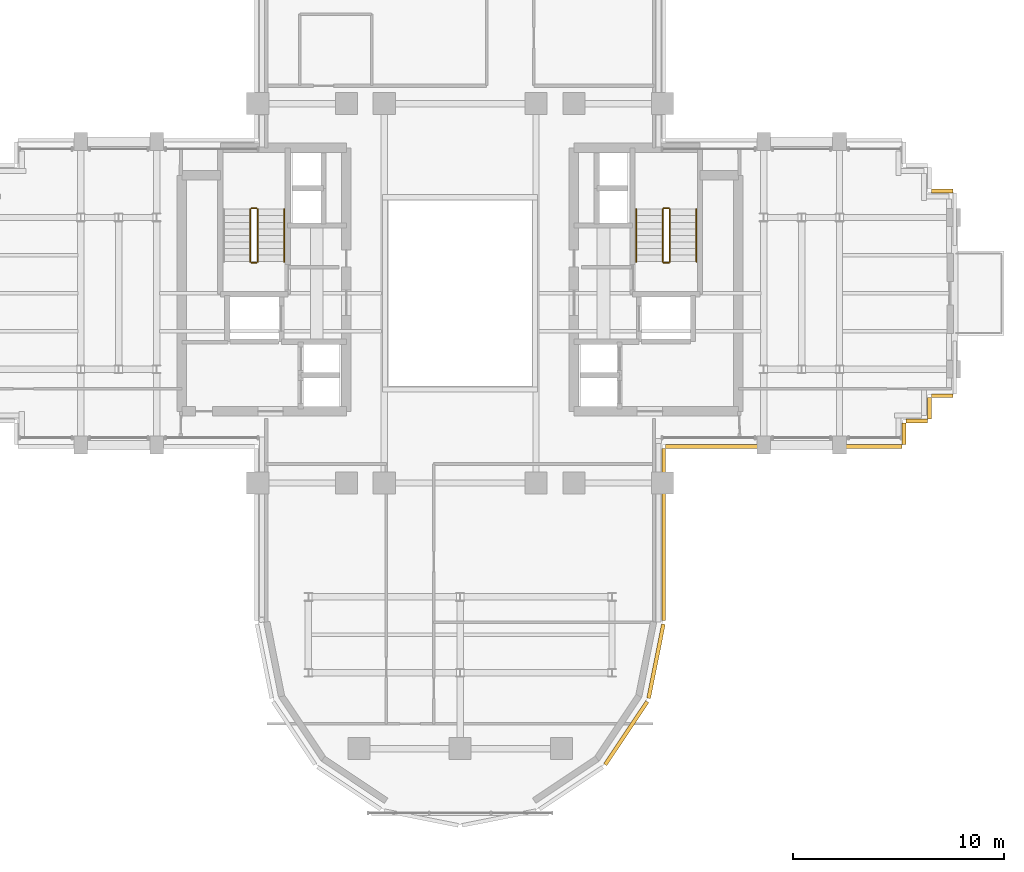
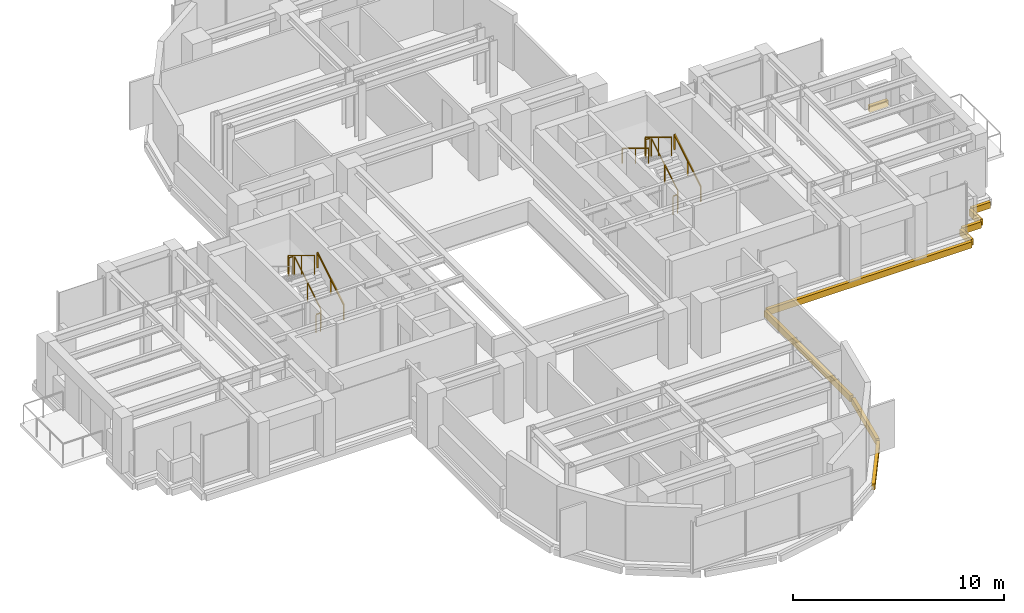
# One storey, part 12 of 13: 11 railings, 9 coverings.
"""IFC4 building model written with IfcOpenShell, lengths in metres."""

from ifc_helpers import new_model, si_unit, direction, frame, origin, origin_2d, place, context, subcontext, project, spatial, rectangle, extrude, source, transform, mapped, material, layer, layer_set, type_object, element, save


model = new_model("IFC4")

# Units and contexts
model_context = context("Model", 3, precision=1e-05, world=origin(), true_north=direction((0.0, 1.0)))
body_context = subcontext(model_context, "Body", "Model", "MODEL_VIEW")
ifc_project = project(units=[si_unit("LENGTHUNIT", "METRE"), si_unit("AREAUNIT", "SQUARE_METRE"), si_unit("VOLUMEUNIT", "CUBIC_METRE"), si_unit("PLANEANGLEUNIT", "RADIAN"), si_unit("MASSUNIT", "GRAM", prefix="KILO")], contexts=[model_context])

# Site, building, storey
site_placement = place(None, origin())
site = spatial("IfcSite", under=ifc_project, at=site_placement, CompositionType="ELEMENT")
building_placement = place(site_placement, origin())
building = spatial("IfcBuilding", under=site, at=building_placement, Name="Keilestroom Media Tower", CompositionType="ELEMENT")
storey_placement = place(building_placement, frame((0.0, 0.0, 104.0)))
storey = spatial("IfcBuildingStorey", under=building, at=storey_placement, Name="L27", CompositionType="ELEMENT", Elevation=104.0)

# Railings
ifc_material_1 = material(Name="Brushed Stainless Steel 1.4301", Category="steel")
railing_type_1 = type_object("IfcRailingType", Name="Stair-Pitch-Handrail-920", PredefinedType="HANDRAIL", material=ifc_material_1)
for number, where, name in (
    (1, (-8.35009765625, 1.5, 0.18896484375), "L27 ST-1 stair handrail 1"),
    (2, (11.2099609375, 1.5, 0.18896484375), "L27 ST-2 stair handrail 1"),
):
    element("IfcRailing", number, at=place(storey_placement, frame(where)), inside=storey, type_object=railing_type_1, Name=name, PredefinedType="HANDRAIL", context=body_context, shape_type="SweptSolid", body=[
        extrude(rectangle(XDim=0.048095703125, YDim=0.048095703125, at=origin_2d()), frame((0.0, 0.0, 0.8759765625), z_axis=(0.0, 0.855470815493, 0.517851024754), x_axis=(-1.0, 0.0, 0.0)), (0.0, 0.0, 1.0), 2.917724609375),
        extrude(rectangle(XDim=0.0419921875, YDim=0.0419921875, at=origin_2d()), origin(), (0.0, 0.0, 1.0), 0.84375),
        extrude(rectangle(XDim=0.0419921875, YDim=0.0419921875, at=origin_2d()), frame((0.0, 1.248046875, 0.75537109375)), (0.0, 0.0, 1.0), 0.84375),
        extrude(rectangle(XDim=0.0419921875, YDim=0.0419921875, at=origin_2d()), frame((0.0, 2.49609375, 1.510986328125)), (0.0, 0.0, 1.0), 0.84375),
    ])
railing_1_placement = place(storey_placement, frame((8.35009765625, 3.99609375, 1.888916015625)))
element("IfcRailing", 3, at=railing_1_placement, inside=storey, type_object=railing_type_1, Name="L27 ST-2 stair handrail 2", PredefinedType="HANDRAIL", context=body_context, shape_type="SweptSolid", body=[
    extrude(rectangle(XDim=0.048095703125, YDim=0.048095703125, at=origin_2d()), frame((0.0, 0.0, 0.8759765625), z_axis=(0.0, -0.855470815493, 0.517851024754), x_axis=(1.0, 0.0, 0.0)), (0.0, 0.0, 1.0), 2.917724609375),
    extrude(rectangle(XDim=0.0419921875, YDim=0.0419921875, at=origin_2d()), origin(), (0.0, 0.0, 1.0), 0.84375),
    extrude(rectangle(XDim=0.0419921875, YDim=0.0419921875, at=origin_2d()), frame((0.0, -1.248046875, 0.75537109375)), (0.0, 0.0, 1.0), 0.84375),
    extrude(rectangle(XDim=0.0419921875, YDim=0.0419921875, at=origin_2d()), frame((0.0, -2.49609375, 1.510986328125)), (0.0, 0.0, 1.0), 0.84375),
])
ifc_material_2 = material(Name="Painted Steel Balustrade", Category="steel")
railing_type_2 = type_object("IfcRailingType", Name="Stair-Well-And-Landing-Guard-1100", PredefinedType="GUARDRAIL", material=ifc_material_2)
railing_2_placement = place(storey_placement, frame((-9.610107421875, 1.5, 0.18896484375)))
element("IfcRailing", 4, at=railing_2_placement, inside=storey, type_object=railing_type_2, Name="L27 ST-1 stair guard 1", PredefinedType="GUARDRAIL", context=body_context, shape_type="SweptSolid", body=[
    extrude(rectangle(XDim=0.048095703125, YDim=0.048095703125, at=origin_2d()), frame((0.0, 0.0, 1.076171875), z_axis=(0.0, 0.855470815493, 0.517851024754), x_axis=(-1.0, 0.0, 0.0)), (0.0, 0.0, 1.0), 2.917724609375),
    extrude(rectangle(XDim=0.0419921875, YDim=0.0419921875, at=origin_2d()), origin(), (0.0, 0.0, 1.0), 1.0439453125),
    extrude(rectangle(XDim=0.0419921875, YDim=0.0419921875, at=origin_2d()), frame((0.0, 1.248046875, 0.75537109375)), (0.0, 0.0, 1.0), 1.0439453125),
    extrude(rectangle(XDim=0.0419921875, YDim=0.0419921875, at=origin_2d()), frame((0.0, 2.49609375, 1.510986328125)), (0.0, 0.0, 1.0), 1.0439453125),
])
railing_3_placement = place(storey_placement, frame((-9.659912109375, 4.0458984375, 1.699951171875)))
element("IfcRailing", 5, at=railing_3_placement, inside=storey, type_object=railing_type_2, Name="L27 ST-1 stair guard 2", PredefinedType="GUARDRAIL", context=body_context, shape_type="SweptSolid", body=[
    extrude(rectangle(XDim=0.048095703125, YDim=0.048095703125, at=origin_2d()), frame((0.0, 0.0, 1.076171875), z_axis=(-1.0, 0.0, 0.0), x_axis=(0.0, -1.0, 0.0)), (0.0, 0.0, 1.0), 0.239990234375),
    extrude(rectangle(XDim=0.0419921875, YDim=0.0419921875, at=origin_2d()), origin(), (0.0, 0.0, 1.0), 1.0439453125),
    extrude(rectangle(XDim=0.0419921875, YDim=0.0419921875, at=origin_2d()), frame((-0.239990234375, 0.0, 0.0)), (0.0, 0.0, 1.0), 1.0439453125),
])
railing_4_placement = place(storey_placement, frame((-9.949951171875, 3.99609375, 1.888916015625)))
element("IfcRailing", 6, at=railing_4_placement, inside=storey, type_object=railing_type_2, Name="L27 ST-1 stair guard 3", PredefinedType="GUARDRAIL", context=body_context, shape_type="SweptSolid", body=[
    extrude(rectangle(XDim=0.048095703125, YDim=0.048095703125, at=origin_2d()), frame((0.0, 0.0, 1.076171875), z_axis=(0.0, -0.855470815493, 0.517851024754), x_axis=(1.0, 0.0, 0.0)), (0.0, 0.0, 1.0), 2.917724609375),
    extrude(rectangle(XDim=0.0419921875, YDim=0.0419921875, at=origin_2d()), origin(), (0.0, 0.0, 1.0), 1.0439453125),
    extrude(rectangle(XDim=0.0419921875, YDim=0.0419921875, at=origin_2d()), frame((0.0, -1.248046875, 0.75537109375)), (0.0, 0.0, 1.0), 1.0439453125),
    extrude(rectangle(XDim=0.0419921875, YDim=0.0419921875, at=origin_2d()), frame((0.0, -2.49609375, 1.510986328125)), (0.0, 0.0, 1.0), 1.0439453125),
])
railing_5_placement = place(storey_placement, frame((-9.659912109375, 1.449951171875, 0.0)))
element("IfcRailing", 7, at=railing_5_placement, inside=storey, type_object=railing_type_2, Name="L27 ST-1 stair guard 4", PredefinedType="GUARDRAIL", context=body_context, shape_type="SweptSolid", body=[
    extrude(rectangle(XDim=0.048095703125, YDim=0.048095703125, at=origin_2d()), frame((0.0, 0.0, 1.076171875), z_axis=(-1.0, 0.0, 0.0), x_axis=(0.0, -1.0, 0.0)), (0.0, 0.0, 1.0), 0.239990234375),
    extrude(rectangle(XDim=0.0419921875, YDim=0.0419921875, at=origin_2d()), origin(), (0.0, 0.0, 1.0), 1.0439453125),
    extrude(rectangle(XDim=0.0419921875, YDim=0.0419921875, at=origin_2d()), frame((-0.239990234375, 0.0, 0.0)), (0.0, 0.0, 1.0), 1.0439453125),
])
railing_6_placement = place(storey_placement, frame((9.949951171875, 1.5, 0.18896484375)))
element("IfcRailing", 8, at=railing_6_placement, inside=storey, type_object=railing_type_2, Name="L27 ST-2 stair guard 1", PredefinedType="GUARDRAIL", context=body_context, shape_type="SweptSolid", body=[
    extrude(rectangle(XDim=0.048095703125, YDim=0.048095703125, at=origin_2d()), frame((0.0, 0.0, 1.076171875), z_axis=(0.0, 0.855470815493, 0.517851024754), x_axis=(-1.0, 0.0, 0.0)), (0.0, 0.0, 1.0), 2.917724609375),
    extrude(rectangle(XDim=0.0419921875, YDim=0.0419921875, at=origin_2d()), origin(), (0.0, 0.0, 1.0), 1.0439453125),
    extrude(rectangle(XDim=0.0419921875, YDim=0.0419921875, at=origin_2d()), frame((0.0, 1.248046875, 0.75537109375)), (0.0, 0.0, 1.0), 1.0439453125),
    extrude(rectangle(XDim=0.0419921875, YDim=0.0419921875, at=origin_2d()), frame((0.0, 2.49609375, 1.510986328125)), (0.0, 0.0, 1.0), 1.0439453125),
])
railing_7_placement = place(storey_placement, frame((9.89990234375, 4.0458984375, 1.699951171875)))
element("IfcRailing", 9, at=railing_7_placement, inside=storey, type_object=railing_type_2, Name="L27 ST-2 stair guard 2", PredefinedType="GUARDRAIL", context=body_context, shape_type="SweptSolid", body=[
    extrude(rectangle(XDim=0.048095703125, YDim=0.048095703125, at=origin_2d()), frame((0.0, 0.0, 1.076171875), z_axis=(-1.0, 0.0, 0.0), x_axis=(0.0, -1.0, 0.0)), (0.0, 0.0, 1.0), 0.239990234375),
    extrude(rectangle(XDim=0.0419921875, YDim=0.0419921875, at=origin_2d()), origin(), (0.0, 0.0, 1.0), 1.0439453125),
    extrude(rectangle(XDim=0.0419921875, YDim=0.0419921875, at=origin_2d()), frame((-0.239990234375, 0.0, 0.0)), (0.0, 0.0, 1.0), 1.0439453125),
])
railing_8_placement = place(storey_placement, frame((9.610107421875, 3.99609375, 1.888916015625)))
element("IfcRailing", 10, at=railing_8_placement, inside=storey, type_object=railing_type_2, Name="L27 ST-2 stair guard 3", PredefinedType="GUARDRAIL", context=body_context, shape_type="SweptSolid", body=[
    extrude(rectangle(XDim=0.048095703125, YDim=0.048095703125, at=origin_2d()), frame((0.0, 0.0, 1.076171875), z_axis=(0.0, -0.855470815493, 0.517851024754), x_axis=(1.0, 0.0, 0.0)), (0.0, 0.0, 1.0), 2.917724609375),
    extrude(rectangle(XDim=0.0419921875, YDim=0.0419921875, at=origin_2d()), origin(), (0.0, 0.0, 1.0), 1.0439453125),
    extrude(rectangle(XDim=0.0419921875, YDim=0.0419921875, at=origin_2d()), frame((0.0, -1.248046875, 0.75537109375)), (0.0, 0.0, 1.0), 1.0439453125),
    extrude(rectangle(XDim=0.0419921875, YDim=0.0419921875, at=origin_2d()), frame((0.0, -2.49609375, 1.510986328125)), (0.0, 0.0, 1.0), 1.0439453125),
])
railing_9_placement = place(storey_placement, frame((9.89990234375, 1.449951171875, 0.0)))
element("IfcRailing", 11, at=railing_9_placement, inside=storey, type_object=railing_type_2, Name="L27 ST-2 stair guard 4", PredefinedType="GUARDRAIL", context=body_context, shape_type="SweptSolid", body=[
    extrude(rectangle(XDim=0.048095703125, YDim=0.048095703125, at=origin_2d()), frame((0.0, 0.0, 1.076171875), z_axis=(-1.0, 0.0, 0.0), x_axis=(0.0, -1.0, 0.0)), (0.0, 0.0, 1.0), 0.239990234375),
    extrude(rectangle(XDim=0.0419921875, YDim=0.0419921875, at=origin_2d()), origin(), (0.0, 0.0, 1.0), 1.0439453125),
    extrude(rectangle(XDim=0.0419921875, YDim=0.0419921875, at=origin_2d()), frame((-0.239990234375, 0.0, 0.0)), (0.0, 0.0, 1.0), 1.0439453125),
])

# Coverings
ifc_material_3 = material(Name="Precast concrete C40/50", Category="concrete")
ifc_layer = layer(ifc_material_3, 0.1201171875)
ifc_layer_set = layer_set([ifc_layer], Name="Precast concrete C40/50")
covering_type = type_object("IfcCoveringType", Name="Exterior-Precast-Spandrel-Cladding-Panel-120", PredefinedType="CLADDING", material=ifc_layer_set)
shared_shape_1 = source(origin(), body_context, "Body", "SweptSolid", [
    extrude(rectangle(XDim=1.02001953125, YDim=0.179931640625, at=origin_2d()), origin(), (0.0, 0.0, 1.0), 0.360107421875),
])
for number, where, z_axis, x_axis, name in (
    (12, (22.860107421875, -4.860107421875, -0.5400390625), (0.0, 0.0, 1.0), (-1.0, 0.0, 0.0), "L27 Precast Slab-Edge Fascia Cornice 01"),
    (13, (22.260009765625, -5.4599609375, -0.5400390625), (0.0, 0.0, 1.0), (0.0, -1.0, 0.0), "L27 Precast Slab-Edge Fascia Cornice 02"),
    (14, (21.659912109375, -6.06005859375, -0.5400390625), (0.0, 0.0, 1.0), (-1.0, 0.0, 0.0), "L27 Precast Slab-Edge Fascia Cornice 03"),
    (15, (21.06005859375, -6.659912109375, -0.5400390625), (0.0, 0.0, 1.0), (0.0, -1.0, 0.0), "L27 Precast Slab-Edge Fascia Cornice 04"),
    (16, (22.860107421875, 4.860107421875, -0.5400390625), (0.0, 0.0, 1.0), (1.0, 0.0, 0.0), "L27 Precast Slab-Edge Fascia Cornice 42"),
):
    element("IfcCovering", number, at=place(storey_placement, frame(where, z_axis=z_axis, x_axis=x_axis)), inside=storey, type_object=covering_type, Name=name, PredefinedType="CLADDING", context=body_context, shape_type="MappedRepresentation", body=[
        mapped(shared_shape_1, transform((0.0, 0.0, 0.0), x_axis=(1.0, 0.0, 0.0), y_axis=(0.0, 1.0, 0.0), z_axis=(0.0, 0.0, 1.0), scale=1.0)),
    ])
shared_shape_2 = source(origin(), body_context, "Body", "SweptSolid", [
    extrude(rectangle(XDim=8.166015625, YDim=0.179931640625, at=origin_2d()), origin(), (0.0, 0.0, 1.0), 0.360107421875),
])
covering_1_placement = place(storey_placement, frame((9.659912109375, -11.43310546875, -0.5400390625), z_axis=(0.0, 0.0, 1.0), x_axis=(0.0, -1.0, 0.0)))
element("IfcCovering", 17, at=covering_1_placement, inside=storey, type_object=covering_type, Name="L27 Precast Slab-Edge Fascia Cornice 06", PredefinedType="CLADDING", context=body_context, shape_type="MappedRepresentation", body=[
    mapped(shared_shape_2, transform((0.0, 0.0, 0.0), x_axis=(1.0, 0.0, 0.0), y_axis=(0.0, 1.0, 0.0), z_axis=(0.0, 0.0, 1.0), scale=1.0)),
])
shared_shape_3 = source(origin(), body_context, "Body", "SweptSolid", [
    extrude(rectangle(XDim=3.58349609375, YDim=0.179931640625, at=origin_2d()), origin(), (0.0, 0.0, 1.0), 0.360107421875),
])
covering_2_placement = place(storey_placement, frame((9.29296875, -17.45166015625, -0.5400390625), z_axis=(0.0, 0.0, 1.0), x_axis=(-0.195098880975, -0.980783577882, 0.0)))
element("IfcCovering", 18, at=covering_2_placement, inside=storey, type_object=covering_type, Name="L27 Precast Slab-Edge Fascia Cornice 07", PredefinedType="CLADDING", context=body_context, shape_type="MappedRepresentation", body=[
    mapped(shared_shape_3, transform((0.0, 0.0, 0.0), x_axis=(1.0, 0.0, 0.0), y_axis=(0.0, 1.0, 0.0), z_axis=(0.0, 0.0, 1.0), scale=1.0)),
])
shared_shape_4 = source(origin(), body_context, "Body", "SweptSolid", [
    extrude(rectangle(XDim=3.589599609375, YDim=0.179931640625, at=origin_2d()), origin(), (0.0, 0.0, 1.0), 0.360107421875),
])
covering_3_placement = place(storey_placement, frame((7.878662109375, -20.8642578125, -0.5400390625), z_axis=(0.0, 0.0, 1.0), x_axis=(-0.555574586577, -0.831466703332, 0.0)))
element("IfcCovering", 19, at=covering_3_placement, inside=storey, type_object=covering_type, Name="L27 Precast Slab-Edge Fascia Cornice 08", PredefinedType="CLADDING", context=body_context, shape_type="MappedRepresentation", body=[
    mapped(shared_shape_4, transform((0.0, 0.0, 0.0), x_axis=(1.0, 0.0, 0.0), y_axis=(0.0, 1.0, 0.0), z_axis=(0.0, 0.0, 1.0), scale=1.0)),
])
shared_shape_5 = source(origin(), body_context, "Body", "SweptSolid", [
    extrude(rectangle(XDim=11.219970703125, YDim=0.179931640625, at=origin_2d()), origin(), (0.0, 0.0, 1.0), 0.360107421875),
])
covering_4_placement = place(storey_placement, frame((15.360107421875, -7.260009765625, -0.5400390625), z_axis=(0.0, 0.0, 1.0), x_axis=(-1.0, 0.0, 0.0)))
element("IfcCovering", 20, at=covering_4_placement, inside=storey, type_object=covering_type, Name="L27 Precast Slab-Edge Fascia Cornice 05", PredefinedType="CLADDING", context=body_context, shape_type="MappedRepresentation", body=[
    mapped(shared_shape_5, transform((0.0, 0.0, 0.0), x_axis=(1.0, 0.0, 0.0), y_axis=(0.0, 1.0, 0.0), z_axis=(0.0, 0.0, 1.0), scale=1.0)),
])

save(model, "model.ifc")
